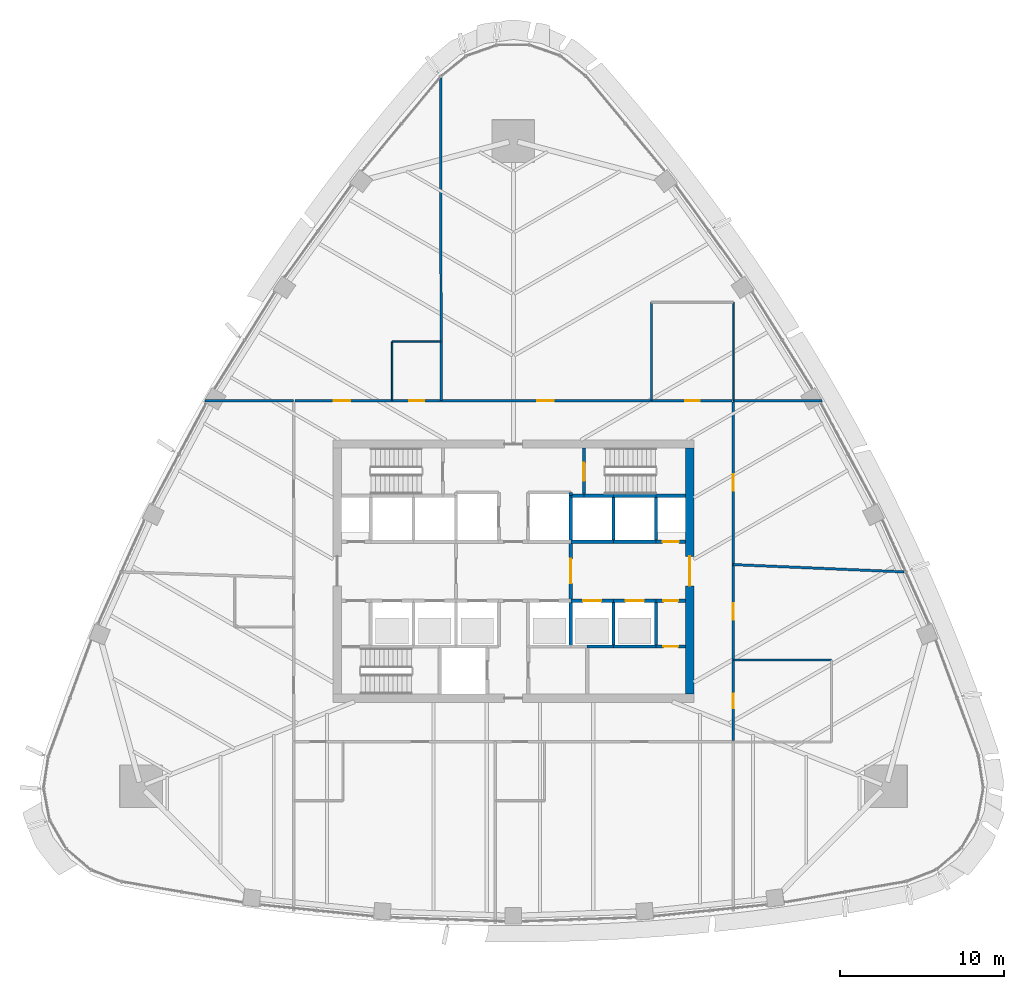
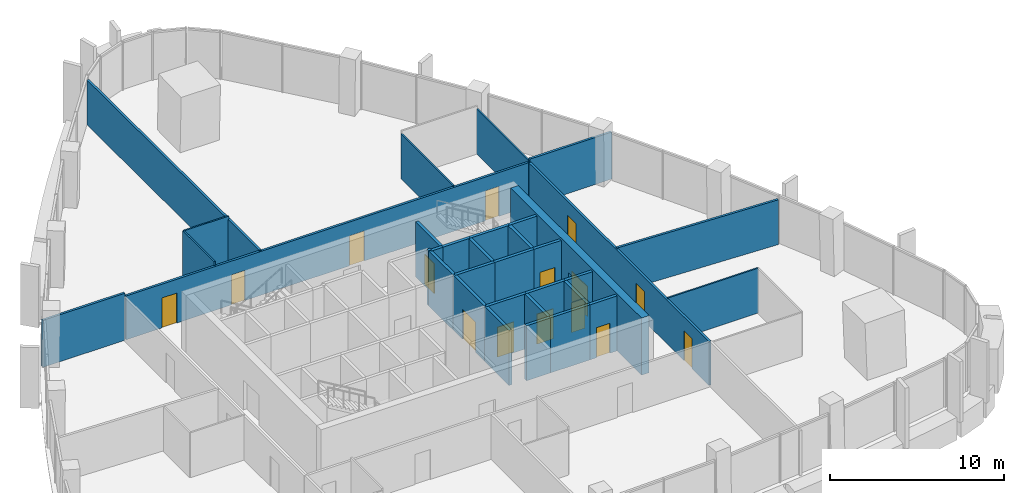
# One storey, part 11 of 19: 34 walls, 15 doors, 15 openings.
"""IFC4 building model written with IfcOpenShell, lengths in metres."""

from ifc_helpers import new_model, si_unit, direction, frame, frame_2d, origin, place, context, subcontext, project, spatial, rectangle, extrude, material, layer, layer_set, type_object, element, fill, save


model = new_model("IFC4")

# Units and contexts
model_context = context("Model", 3, precision=1e-05, world=origin(), true_north=direction((0.0, 1.0)))
body_context = subcontext(model_context, "Body", "Model", "MODEL_VIEW")
ifc_project = project(units=[si_unit("LENGTHUNIT", "METRE"), si_unit("AREAUNIT", "SQUARE_METRE"), si_unit("VOLUMEUNIT", "CUBIC_METRE"), si_unit("PLANEANGLEUNIT", "RADIAN"), si_unit("MASSUNIT", "GRAM", prefix="KILO")], contexts=[model_context])

# Site, building, storey
site_placement = place(None, origin())
site = spatial("IfcSite", under=ifc_project, at=site_placement, CompositionType="ELEMENT")
building_placement = place(site_placement, origin())
building = spatial("IfcBuilding", under=site, at=building_placement, Name="Sierra Prisma Convention Tower", CompositionType="ELEMENT")
storey_placement = place(building_placement, frame((0.0, 0.0, 209.800048828125)))
storey = spatial("IfcBuildingStorey", under=building, at=storey_placement, Name="L47", CompositionType="ELEMENT", Elevation=209.800048828125)

# Walls
ifc_material_1 = material(Name="Gypsum board partition", Category="gypsum")
ifc_layer_1 = layer(ifc_material_1, 0.10009765625)
ifc_layer_set_1 = layer_set([ifc_layer_1], Name="Bathroom partition 100")
wall_type_1 = type_object("IfcWallType", Name="Bathroom partition 100", PredefinedType="PARTITIONING", material=ifc_layer_set_1)
wall_1_placement = place(storey_placement, frame((-7.39990234375, 10.429931640625, 0.0), z_axis=(0.0, 0.0, 1.0), x_axis=(0.0, 1.0, 0.0)))
element("IfcWall", 1, at=wall_1_placement, inside=storey, type_object=wall_type_1, Name="Partition L47 bath 5", PredefinedType="PARTITIONING", context=body_context, shape_type="SweptSolid", body=[
    extrude(rectangle(XDim=3.570068359375, YDim=0.10009765625, at=frame_2d((1.78515625, 0.0))), origin(), (0.0, 0.0, 1.0), 3.349853515625),
])
wall_2_placement = place(storey_placement, frame((-7.39990234375, 14.0, 0.0), z_axis=(0.0, 0.0, 1.0), x_axis=(1.0, 0.0, 0.0)))
element("IfcWall", 2, at=wall_2_placement, inside=storey, type_object=wall_type_1, Name="Partition L47 bath 6", PredefinedType="PARTITIONING", context=body_context, shape_type="SweptSolid", body=[
    extrude(rectangle(XDim=2.969970703125, YDim=0.10009765625, at=frame_2d((1.48486328125, 0.0))), origin(), (0.0, 0.0, 1.0), 3.349853515625),
])
for number, where, z_axis, x_axis, name in (
    (3, (8.419921875, 10.429931640625, 0.0), (0.0, 0.0, 1.0), (0.0, 1.0, 0.0), "Partition L47 bath 9"),
    (4, (13.419921875, 16.39990234375, 0.0), (0.0, 0.0, 1.0), (0.0, -1.0, 0.0), "Partition L47 bath 11"),
    (5, (13.429931640625, -5.419921875, 0.0), (0.0, 0.0, 1.0), (1.0, 0.0, 0.0), "Partition L47 bath 12"),
):
    element("IfcWall", number, at=place(storey_placement, frame(where, z_axis=z_axis, x_axis=x_axis)), inside=storey, type_object=wall_type_1, Name=name, PredefinedType="PARTITIONING", context=body_context, shape_type="SweptSolid", body=[
        extrude(rectangle(XDim=5.969970703125, YDim=0.10009765625, at=frame_2d((2.98486328125, 0.0))), origin(), (0.0, 0.0, 1.0), 3.137939453125),
    ])
ifc_material_2 = material(Name="Concrete C30/37", Category="concrete")
ifc_layer_2 = layer(ifc_material_2, 0.199951171875)
ifc_layer_set_2 = layer_set([ifc_layer_2], Name="Core wall RC 200 C30/37")
wall_type_2 = type_object("IfcWallType", Name="Core wall RC 200 C30/37", PredefinedType="SOLIDWALL", material=ifc_layer_set_2)
wall_3_placement = place(storey_placement, frame((3.5, 4.60009765625, 0.0), z_axis=(0.0, 0.0, 1.0), x_axis=(0.0, 1.0, 0.0)))
element("IfcWall", 6, at=wall_3_placement, inside=storey, type_object=wall_type_2, Name="Core wall L47 40", PredefinedType="SOLIDWALL", context=body_context, shape_type="SweptSolid", body=[
    extrude(rectangle(XDim=0.199951171875, YDim=0.199951171875, at=frame_2d((0.10009765625, 0.0))), origin(), (0.0, 0.0, 1.0), 3.849853515625),
])
wall_4_placement = place(storey_placement, frame((3.5, -4.60009765625, 0.0), z_axis=(0.0, 0.0, 1.0), x_axis=(0.0, 1.0, 0.0)))
element("IfcWall", 7, at=wall_4_placement, inside=storey, type_object=wall_type_2, Name="Core wall L47 44", PredefinedType="SOLIDWALL", context=body_context, shape_type="SweptSolid", body=[
    extrude(rectangle(XDim=2.800048828125, YDim=0.199951171875, at=frame_2d((1.39990234375, 0.0))), origin(), (0.0, 0.0, 1.0), 3.849853515625),
])

# Wall, opening, door
wall_5_placement = place(storey_placement, frame((3.5, -1.800048828125, 0.0), z_axis=(0.0, 0.0, 1.0), x_axis=(1.0, 0.0, 0.0)))
wall_5 = element("IfcWall", 8, at=wall_5_placement, inside=storey, type_object=wall_type_2, Name="Core wall L47 45", PredefinedType="SOLIDWALL", context=body_context, shape_type="SweptSolid", body=[
    extrude(rectangle(XDim=2.60009765625, YDim=0.199951171875, at=frame_2d((1.300048828125, 0.0))), origin(), (0.0, 0.0, 1.0), 3.849853515625),
])
opening_1_placement = place(wall_5_placement, frame((0.75, 0.0, 0.0)))
opening_1 = element("IfcOpeningElement", 9, at=opening_1_placement, cuts=wall_5, Name="Opening L47-D005", PredefinedType="OPENING", context=body_context, shape_type="SweptSolid", body=[
    extrude(rectangle(XDim=1.10009765625, YDim=2.10009765625, at=frame_2d((0.550048828125, 1.050048828125))), frame((0.0, 0.10009765625, 0.0), z_axis=(0.0, -1.0, 0.0), x_axis=(1.0, 0.0, 0.0)), (0.0, 0.0, 1.0), 0.199951171875),
])
ifc_material_3 = material(Name="Steel fire door leaf", Category="steel")
door_type_1 = type_object("IfcDoorType", Name="Door 1100x2100 EI 90 sliding lift landing", OperationType="SLIDING_TO_LEFT", PredefinedType="DOOR", material=ifc_material_3)
door_1_placement = place(opening_1_placement, origin())
door_1 = element("IfcDoor", 10, at=door_1_placement, inside=storey, type_object=door_type_1, Name="Door L47 19", OperationType="SLIDING_TO_RIGHT", OverallHeight=2.10009765625, OverallWidth=1.10009765625, PredefinedType="DOOR", context=body_context, shape_type="SweptSolid", body=[
    extrude(rectangle(XDim=1.10009765625, YDim=2.10009765625, at=frame_2d((0.550048828125, 1.050048828125))), frame((0.0, 0.02490234375, 0.0), z_axis=(0.0, -1.0, 0.0), x_axis=(1.0, 0.0, 0.0)), (0.0, 0.0, 1.0), 0.050048828125),
])
fill(opening_1, door_1)

wall_6_placement = place(storey_placement, frame((3.5, -1.800048828125, 0.0), z_axis=(0.0, 0.0, 1.0), x_axis=(0.0, 1.0, 0.0)))
wall_6 = element("IfcWall", 11, at=wall_6_placement, inside=storey, type_object=wall_type_2, Name="Core wall L47 46", PredefinedType="SOLIDWALL", context=body_context, shape_type="SweptSolid", body=[
    extrude(rectangle(XDim=3.60009765625, YDim=0.199951171875, at=frame_2d((1.800048828125, 0.0))), origin(), (0.0, 0.0, 1.0), 3.849853515625),
])
opening_2_placement = place(wall_6_placement, frame((1.050048828125, 0.0, 0.0)))
opening_2 = element("IfcOpeningElement", 12, at=opening_2_placement, cuts=wall_6, Name="Opening L47-D011", PredefinedType="OPENING", context=body_context, shape_type="SweptSolid", body=[
    extrude(rectangle(XDim=1.5, YDim=2.10009765625, at=frame_2d((0.75, 1.050048828125))), frame((0.0, 0.10009765625, 0.0), z_axis=(0.0, -1.0, 0.0), x_axis=(1.0, 0.0, 0.0)), (0.0, 0.0, 1.0), 0.199951171875),
])
ifc_material_4 = material(Name="Steel fire door leaf", Category="steel")
door_type_2 = type_object("IfcDoorType", Name="Door 1500x2100 FD30S", OperationType="DOUBLE_DOOR_SINGLE_SWING", PredefinedType="DOOR", material=ifc_material_4)
door_2_placement = place(opening_2_placement, origin())
door_2 = element("IfcDoor", 13, at=door_2_placement, inside=storey, type_object=door_type_2, Name="Door L47 25", OperationType="DOUBLE_DOOR_SINGLE_SWING", OverallHeight=2.10009765625, OverallWidth=1.5, PredefinedType="DOOR", context=body_context, shape_type="SweptSolid", body=[
    extrude(rectangle(XDim=1.5, YDim=2.10009765625, at=frame_2d((0.75, 1.050048828125))), frame((0.0, 0.02490234375, 0.0), z_axis=(0.0, -1.0, 0.0), x_axis=(1.0, 0.0, 0.0)), (0.0, 0.0, 1.0), 0.050048828125),
])
fill(opening_2, door_2)

# Walls
wall_7_placement = place(storey_placement, frame((6.10009765625, 1.800048828125, 0.0), z_axis=(0.0, 0.0, 1.0), x_axis=(-1.0, 0.0, 0.0)))
element("IfcWall", 14, at=wall_7_placement, inside=storey, type_object=wall_type_2, Name="Core wall L47 47", PredefinedType="SOLIDWALL", context=body_context, shape_type="SweptSolid", body=[
    extrude(rectangle(XDim=2.60009765625, YDim=0.199951171875, at=frame_2d((1.300048828125, 0.0))), origin(), (0.0, 0.0, 1.0), 3.849853515625),
])
wall_8_placement = place(storey_placement, frame((3.5, 1.800048828125, 0.0), z_axis=(0.0, 0.0, 1.0), x_axis=(0.0, 1.0, 0.0)))
element("IfcWall", 15, at=wall_8_placement, inside=storey, type_object=wall_type_2, Name="Core wall L47 48", PredefinedType="SOLIDWALL", context=body_context, shape_type="SweptSolid", body=[
    extrude(rectangle(XDim=2.800048828125, YDim=0.199951171875, at=frame_2d((1.39990234375, 0.0))), origin(), (0.0, 0.0, 1.0), 3.849853515625),
])
wall_9_placement = place(storey_placement, frame((4.300048828125, 4.60009765625, 0.0), z_axis=(0.0, 0.0, 1.0), x_axis=(-1.0, 0.0, 0.0)))
element("IfcWall", 16, at=wall_9_placement, inside=storey, type_object=wall_type_2, Name="Core wall L47 49", PredefinedType="SOLIDWALL", context=body_context, shape_type="SweptSolid", body=[
    extrude(rectangle(XDim=0.800048828125, YDim=0.199951171875, at=frame_2d((0.39990234375, 0.0))), origin(), (0.0, 0.0, 1.0), 3.849853515625),
])
wall_10_placement = place(storey_placement, frame((6.10009765625, 4.60009765625, 0.0), z_axis=(0.0, 0.0, 1.0), x_axis=(-1.0, 0.0, 0.0)))
element("IfcWall", 17, at=wall_10_placement, inside=storey, type_object=wall_type_2, Name="Core wall L47 50", PredefinedType="SOLIDWALL", context=body_context, shape_type="SweptSolid", body=[
    extrude(rectangle(XDim=1.800048828125, YDim=0.199951171875, at=frame_2d((0.89990234375, 0.0))), origin(), (0.0, 0.0, 1.0), 3.849853515625),
])

# Wall, opening, door
wall_11_placement = place(storey_placement, frame((4.300048828125, 7.5, 0.0), z_axis=(0.0, 0.0, 1.0), x_axis=(0.0, -1.0, 0.0)))
wall_11 = element("IfcWall", 18, at=wall_11_placement, inside=storey, type_object=wall_type_2, Name="Core wall L47 51", PredefinedType="SOLIDWALL", context=body_context, shape_type="SweptSolid", body=[
    extrude(rectangle(XDim=2.89990234375, YDim=0.199951171875, at=frame_2d((1.449951171875, 0.0))), origin(), (0.0, 0.0, 1.0), 3.849853515625),
])
opening_3_placement = place(wall_11_placement, frame((0.89990234375, 0.0, 0.0)))
opening_3 = element("IfcOpeningElement", 19, at=opening_3_placement, cuts=wall_11, Name="Opening L47-D019", PredefinedType="OPENING", context=body_context, shape_type="SweptSolid", body=[
    extrude(rectangle(XDim=1.10009765625, YDim=2.10009765625, at=frame_2d((0.550048828125, 1.050048828125))), frame((0.0, 0.10009765625, 0.0), z_axis=(0.0, -1.0, 0.0), x_axis=(1.0, 0.0, 0.0)), (0.0, 0.0, 1.0), 0.199951171875),
])
ifc_material_5 = material(Name="Steel fire door leaf", Category="steel")
door_type_3 = type_object("IfcDoorType", Name="Door 1100x2100 FD90S", OperationType="SINGLE_SWING_LEFT", PredefinedType="DOOR", material=ifc_material_5)
door_3_placement = place(opening_3_placement, origin())
door_3 = element("IfcDoor", 20, at=door_3_placement, inside=storey, type_object=door_type_3, Name="Door L47 33", OperationType="SINGLE_SWING_LEFT", OverallHeight=2.10009765625, OverallWidth=1.10009765625, PredefinedType="DOOR", context=body_context, shape_type="SweptSolid", body=[
    extrude(rectangle(XDim=1.10009765625, YDim=2.10009765625, at=frame_2d((0.550048828125, 1.050048828125))), frame((0.0, 0.02490234375, 0.0), z_axis=(0.0, -1.0, 0.0), x_axis=(1.0, 0.0, 0.0)), (0.0, 0.0, 1.0), 0.050048828125),
])
fill(opening_3, door_3)

# Walls
wall_12_placement = place(storey_placement, frame((6.10009765625, -4.60009765625, 0.0), z_axis=(0.0, 0.0, 1.0), x_axis=(-1.0, 0.0, 0.0)))
element("IfcWall", 21, at=wall_12_placement, inside=storey, type_object=wall_type_2, Name="Core wall L47 53", PredefinedType="SOLIDWALL", context=body_context, shape_type="SweptSolid", body=[
    extrude(rectangle(XDim=1.60009765625, YDim=0.199951171875, at=frame_2d((0.800048828125, 0.0))), origin(), (0.0, 0.0, 1.0), 3.849853515625),
])
wall_13_placement = place(storey_placement, frame((8.699951171875, -4.60009765625, 0.0), z_axis=(0.0, 0.0, 1.0), x_axis=(-1.0, 0.0, 0.0)))
element("IfcWall", 22, at=wall_13_placement, inside=storey, type_object=wall_type_2, Name="Core wall L47 54", PredefinedType="SOLIDWALL", context=body_context, shape_type="SweptSolid", body=[
    extrude(rectangle(XDim=2.599853515625, YDim=0.199951171875, at=frame_2d((1.2998046875, 0.0))), origin(), (0.0, 0.0, 1.0), 3.849853515625),
])
wall_14_placement = place(storey_placement, frame((6.10009765625, -4.60009765625, 0.0), z_axis=(0.0, 0.0, 1.0), x_axis=(0.0, 1.0, 0.0)))
element("IfcWall", 23, at=wall_14_placement, inside=storey, type_object=wall_type_2, Name="Core wall L47 55", PredefinedType="SOLIDWALL", context=body_context, shape_type="SweptSolid", body=[
    extrude(rectangle(XDim=2.800048828125, YDim=0.199951171875, at=frame_2d((1.39990234375, 0.0))), origin(), (0.0, 0.0, 1.0), 3.849853515625),
])

# Wall, opening, door
wall_15_placement = place(storey_placement, frame((6.10009765625, -1.800048828125, 0.0), z_axis=(0.0, 0.0, 1.0), x_axis=(1.0, 0.0, 0.0)))
wall_15 = element("IfcWall", 24, at=wall_15_placement, inside=storey, type_object=wall_type_2, Name="Core wall L47 56", PredefinedType="SOLIDWALL", context=body_context, shape_type="SweptSolid", body=[
    extrude(rectangle(XDim=2.599853515625, YDim=0.199951171875, at=frame_2d((1.2998046875, 0.0))), origin(), (0.0, 0.0, 1.0), 3.849853515625),
])
opening_4_placement = place(wall_15_placement, frame((0.75, 0.0, 0.0)))
opening_4 = element("IfcOpeningElement", 25, at=opening_4_placement, cuts=wall_15, Name="Opening L47-D006", PredefinedType="OPENING", context=body_context, shape_type="SweptSolid", body=[
    extrude(rectangle(XDim=1.10009765625, YDim=2.10009765625, at=frame_2d((0.550048828125, 1.050048828125))), frame((0.0, 0.10009765625, 0.0), z_axis=(0.0, -1.0, 0.0), x_axis=(1.0, 0.0, 0.0)), (0.0, 0.0, 1.0), 0.199951171875),
])
door_4_placement = place(opening_4_placement, origin())
door_4 = element("IfcDoor", 26, at=door_4_placement, inside=storey, type_object=door_type_1, Name="Door L47 20", OperationType="SLIDING_TO_LEFT", OverallHeight=2.10009765625, OverallWidth=1.10009765625, PredefinedType="DOOR", context=body_context, shape_type="SweptSolid", body=[
    extrude(rectangle(XDim=1.10009765625, YDim=2.10009765625, at=frame_2d((0.550048828125, 1.050048828125))), frame((0.0, 0.02490234375, 0.0), z_axis=(0.0, -1.0, 0.0), x_axis=(1.0, 0.0, 0.0)), (0.0, 0.0, 1.0), 0.050048828125),
])
fill(opening_4, door_4)

# Walls
wall_16_placement = place(storey_placement, frame((8.699951171875, 1.800048828125, 0.0), z_axis=(0.0, 0.0, 1.0), x_axis=(-1.0, 0.0, 0.0)))
element("IfcWall", 27, at=wall_16_placement, inside=storey, type_object=wall_type_2, Name="Core wall L47 57", PredefinedType="SOLIDWALL", context=body_context, shape_type="SweptSolid", body=[
    extrude(rectangle(XDim=2.599853515625, YDim=0.199951171875, at=frame_2d((1.2998046875, 0.0))), origin(), (0.0, 0.0, 1.0), 3.849853515625),
])
wall_17_placement = place(storey_placement, frame((6.10009765625, 1.800048828125, 0.0), z_axis=(0.0, 0.0, 1.0), x_axis=(0.0, 1.0, 0.0)))
element("IfcWall", 28, at=wall_17_placement, inside=storey, type_object=wall_type_2, Name="Core wall L47 58", PredefinedType="SOLIDWALL", context=body_context, shape_type="SweptSolid", body=[
    extrude(rectangle(XDim=2.800048828125, YDim=0.199951171875, at=frame_2d((1.39990234375, 0.0))), origin(), (0.0, 0.0, 1.0), 3.849853515625),
])
wall_18_placement = place(storey_placement, frame((8.699951171875, 4.60009765625, 0.0), z_axis=(0.0, 0.0, 1.0), x_axis=(-1.0, 0.0, 0.0)))
element("IfcWall", 29, at=wall_18_placement, inside=storey, type_object=wall_type_2, Name="Core wall L47 59", PredefinedType="SOLIDWALL", context=body_context, shape_type="SweptSolid", body=[
    extrude(rectangle(XDim=2.599853515625, YDim=0.199951171875, at=frame_2d((1.2998046875, 0.0))), origin(), (0.0, 0.0, 1.0), 3.849853515625),
])

# Wall, opening, door
wall_19_placement = place(storey_placement, frame((10.5, -4.60009765625, 0.0), z_axis=(0.0, 0.0, 1.0), x_axis=(-1.0, 0.0, 0.0)))
wall_19 = element("IfcWall", 30, at=wall_19_placement, inside=storey, type_object=wall_type_2, Name="Core wall L47 60", PredefinedType="SOLIDWALL", context=body_context, shape_type="SweptSolid", body=[
    extrude(rectangle(XDim=1.800048828125, YDim=0.199951171875, at=frame_2d((0.89990234375, 0.0))), origin(), (0.0, 0.0, 1.0), 3.849853515625),
])
opening_5_placement = place(wall_19_placement, frame((0.4599609375, 0.0, 0.0)))
opening_5 = element("IfcOpeningElement", 31, at=opening_5_placement, cuts=wall_19, Name="Opening L47-D020", PredefinedType="OPENING", context=body_context, shape_type="SweptSolid", body=[
    extrude(rectangle(XDim=0.89990234375, YDim=2.10009765625, at=frame_2d((0.449951171875, 1.050048828125))), frame((0.0, 0.10009765625, 0.0), z_axis=(0.0, -1.0, 0.0), x_axis=(1.0, 0.0, 0.0)), (0.0, 0.0, 1.0), 0.199951171875),
])
ifc_material_6 = material(Name="Steel fire door leaf", Category="steel")
door_type_4 = type_object("IfcDoorType", Name="Door 900x2100 FD30S", OperationType="SINGLE_SWING_LEFT", PredefinedType="DOOR", material=ifc_material_6)
door_5_placement = place(opening_5_placement, origin())
door_5 = element("IfcDoor", 32, at=door_5_placement, inside=storey, type_object=door_type_4, Name="Door L47 34", OperationType="SINGLE_SWING_LEFT", OverallHeight=2.10009765625, OverallWidth=0.89990234375, PredefinedType="DOOR", context=body_context, shape_type="SweptSolid", body=[
    extrude(rectangle(XDim=0.89990234375, YDim=2.10009765625, at=frame_2d((0.449951171875, 1.050048828125))), frame((0.0, 0.02490234375, 0.0), z_axis=(0.0, -1.0, 0.0), x_axis=(1.0, 0.0, 0.0)), (0.0, 0.0, 1.0), 0.050048828125),
])
fill(opening_5, door_5)

# Wall
wall_20_placement = place(storey_placement, frame((8.699951171875, -1.800048828125, 0.0), z_axis=(0.0, 0.0, 1.0), x_axis=(0.0, -1.0, 0.0)))
element("IfcWall", 33, at=wall_20_placement, inside=storey, type_object=wall_type_2, Name="Core wall L47 61", PredefinedType="SOLIDWALL", context=body_context, shape_type="SweptSolid", body=[
    extrude(rectangle(XDim=2.800048828125, YDim=0.199951171875, at=frame_2d((1.39990234375, 0.0))), origin(), (0.0, 0.0, 1.0), 3.849853515625),
])

# Wall, opening, door
wall_21_placement = place(storey_placement, frame((8.699951171875, -1.800048828125, 0.0), z_axis=(0.0, 0.0, 1.0), x_axis=(1.0, 0.0, 0.0)))
wall_21 = element("IfcWall", 34, at=wall_21_placement, inside=storey, type_object=wall_type_2, Name="Core wall L47 62", PredefinedType="SOLIDWALL", context=body_context, shape_type="SweptSolid", body=[
    extrude(rectangle(XDim=1.800048828125, YDim=0.199951171875, at=frame_2d((0.89990234375, 0.0))), origin(), (0.0, 0.0, 1.0), 3.849853515625),
])
opening_6_placement = place(wall_21_placement, frame((0.449951171875, 0.0, 0.0)))
opening_6 = element("IfcOpeningElement", 35, at=opening_6_placement, cuts=wall_21, Name="Opening L47-D021", PredefinedType="OPENING", context=body_context, shape_type="SweptSolid", body=[
    extrude(rectangle(XDim=0.89990234375, YDim=2.10009765625, at=frame_2d((0.449951171875, 1.050048828125))), frame((0.0, 0.10009765625, 0.0), z_axis=(0.0, -1.0, 0.0), x_axis=(1.0, 0.0, 0.0)), (0.0, 0.0, 1.0), 0.199951171875),
])
door_6_placement = place(opening_6_placement, origin())
door_6 = element("IfcDoor", 36, at=door_6_placement, inside=storey, type_object=door_type_4, Name="Door L47 35", OperationType="SINGLE_SWING_RIGHT", OverallHeight=2.10009765625, OverallWidth=0.89990234375, PredefinedType="DOOR", context=body_context, shape_type="SweptSolid", body=[
    extrude(rectangle(XDim=0.89990234375, YDim=2.10009765625, at=frame_2d((0.449951171875, 1.050048828125))), frame((0.0, 0.02490234375, 0.0), z_axis=(0.0, -1.0, 0.0), x_axis=(1.0, 0.0, 0.0)), (0.0, 0.0, 1.0), 0.050048828125),
])
fill(opening_6, door_6)

wall_22_placement = place(storey_placement, frame((10.5, 1.800048828125, 0.0), z_axis=(0.0, 0.0, 1.0), x_axis=(-1.0, 0.0, 0.0)))
wall_22 = element("IfcWall", 37, at=wall_22_placement, inside=storey, type_object=wall_type_2, Name="Core wall L47 63", PredefinedType="SOLIDWALL", context=body_context, shape_type="SweptSolid", body=[
    extrude(rectangle(XDim=1.800048828125, YDim=0.199951171875, at=frame_2d((0.89990234375, 0.0))), origin(), (0.0, 0.0, 1.0), 3.849853515625),
])
opening_7_placement = place(wall_22_placement, frame((0.39990234375, 0.0, 0.0)))
opening_7 = element("IfcOpeningElement", 38, at=opening_7_placement, cuts=wall_22, Name="Opening L47-D016", PredefinedType="OPENING", context=body_context, shape_type="SweptSolid", body=[
    extrude(rectangle(XDim=1.0, YDim=2.10009765625, at=frame_2d((0.5, 1.050048828125))), frame((0.0, 0.10009765625, 0.0), z_axis=(0.0, -1.0, 0.0), x_axis=(1.0, 0.0, 0.0)), (0.0, 0.0, 1.0), 0.199951171875),
])
ifc_material_7 = material(Name="Steel fire door leaf", Category="steel")
door_type_5 = type_object("IfcDoorType", Name="Door 1000x2100 FD60S", OperationType="SINGLE_SWING_LEFT", PredefinedType="DOOR", material=ifc_material_7)
door_7_placement = place(opening_7_placement, origin())
door_7 = element("IfcDoor", 39, at=door_7_placement, inside=storey, type_object=door_type_5, Name="Door L47 30", OperationType="SINGLE_SWING_LEFT", OverallHeight=2.10009765625, OverallWidth=1.0, PredefinedType="DOOR", context=body_context, shape_type="SweptSolid", body=[
    extrude(rectangle(XDim=1.0, YDim=2.10009765625, at=frame_2d((0.5, 1.050048828125))), frame((0.0, 0.02490234375, 0.0), z_axis=(0.0, -1.0, 0.0), x_axis=(1.0, 0.0, 0.0)), (0.0, 0.0, 1.0), 0.050048828125),
])
fill(opening_7, door_7)

# Walls
wall_23_placement = place(storey_placement, frame((8.699951171875, 4.60009765625, 0.0), z_axis=(0.0, 0.0, 1.0), x_axis=(0.0, -1.0, 0.0)))
element("IfcWall", 40, at=wall_23_placement, inside=storey, type_object=wall_type_2, Name="Core wall L47 64", PredefinedType="SOLIDWALL", context=body_context, shape_type="SweptSolid", body=[
    extrude(rectangle(XDim=2.800048828125, YDim=0.199951171875, at=frame_2d((1.39990234375, 0.0))), origin(), (0.0, 0.0, 1.0), 3.849853515625),
])
wall_24_placement = place(storey_placement, frame((10.5, 4.60009765625, 0.0), z_axis=(0.0, 0.0, 1.0), x_axis=(-1.0, 0.0, 0.0)))
element("IfcWall", 41, at=wall_24_placement, inside=storey, type_object=wall_type_2, Name="Core wall L47 65", PredefinedType="SOLIDWALL", context=body_context, shape_type="SweptSolid", body=[
    extrude(rectangle(XDim=1.800048828125, YDim=0.199951171875, at=frame_2d((0.89990234375, 0.0))), origin(), (0.0, 0.0, 1.0), 3.849853515625),
])

# Wall, opening, door
ifc_material_8 = material(Name="Concrete C60/75", Category="concrete")
ifc_layer_3 = layer(ifc_material_8, 0.5)
ifc_layer_set_3 = layer_set([ifc_layer_3], Name="Core wall RC 500 C60/75")
wall_type_3 = type_object("IfcWallType", Name="Core wall RC 500 C60/75", PredefinedType="SHEAR", material=ifc_layer_set_3)
wall_25_placement = place(storey_placement, frame((10.75, -7.5, 0.0), z_axis=(0.0, 0.0, 1.0), x_axis=(0.0, 1.0, 0.0)))
wall_25 = element("IfcWall", 42, at=wall_25_placement, inside=storey, type_object=wall_type_3, Name="Core wall E L47", PredefinedType="SHEAR", context=body_context, shape_type="SweptSolid", body=[
    extrude(rectangle(XDim=15.0, YDim=0.5, at=frame_2d((7.5, 0.0))), origin(), (0.0, 0.0, 1.0), 4.0),
])
opening_8_placement = place(wall_25_placement, frame((6.60009765625, 0.0, 0.0)))
opening_8 = element("IfcOpeningElement", 43, at=opening_8_placement, cuts=wall_25, Name="Opening L47-D037", PredefinedType="OPENING", context=body_context, shape_type="SweptSolid", body=[
    extrude(rectangle(XDim=1.800048828125, YDim=2.10009765625, at=frame_2d((0.89990234375, 1.050048828125))), frame((0.0, 0.25, 0.0), z_axis=(0.0, -1.0, 0.0), x_axis=(1.0, 0.0, 0.0)), (0.0, 0.0, 1.0), 0.5),
])
ifc_material_9 = material(Name="Steel fire door leaf", Category="steel")
door_type_6 = type_object("IfcDoorType", Name="Door 1800x2100 FD60S", OperationType="DOUBLE_DOOR_SINGLE_SWING", PredefinedType="DOOR", material=ifc_material_9)
door_8_placement = place(opening_8_placement, origin())
door_8 = element("IfcDoor", 44, at=door_8_placement, inside=storey, type_object=door_type_6, Name="Door L47 38", OperationType="DOUBLE_DOOR_SINGLE_SWING", OverallHeight=2.10009765625, OverallWidth=1.800048828125, PredefinedType="DOOR", context=body_context, shape_type="SweptSolid", body=[
    extrude(rectangle(XDim=1.800048828125, YDim=2.10009765625, at=frame_2d((0.89990234375, 1.050048828125))), frame((0.0, 0.02490234375, 0.0), z_axis=(0.0, -1.0, 0.0), x_axis=(1.0, 0.0, 0.0)), (0.0, 0.0, 1.0), 0.050048828125),
])
fill(opening_8, door_8)

# Wall, openings, doors
ifc_material_10 = material(Name="Gypsum board partition", Category="gypsum")
ifc_layer_4 = layer(ifc_material_10, 0.14990234375)
ifc_layer_set_4 = layer_set([ifc_layer_4], Name="Corridor wall 150 gypsum EI 60")
wall_type_4 = type_object("IfcWallType", Name="Corridor wall 150 gypsum EI 60", PredefinedType="PARTITIONING", material=ifc_layer_set_4)
wall_26_placement = place(storey_placement, frame((13.320068359375, 10.39990234375, 0.0), z_axis=(0.0, 0.0, 1.0), x_axis=(-1.0, 0.0, 0.0)))
wall_26 = element("IfcWall", 45, at=wall_26_placement, inside=storey, type_object=wall_type_4, Name="Partition L47 corr 3", PredefinedType="PARTITIONING", context=body_context, shape_type="SweptSolid", body=[
    extrude(rectangle(XDim=26.64013671875, YDim=0.14990234375, at=frame_2d((13.320068359375, 0.0))), origin(), (0.0, 0.0, 1.0), 3.06591796875),
])
opening_9_placement = place(wall_26_placement, frame((1.949951171875, 0.0, 0.0)))
opening_9 = element("IfcOpeningElement", 46, at=opening_9_placement, cuts=wall_26, Name="Opening L47-D024", PredefinedType="OPENING", context=body_context, shape_type="SweptSolid", body=[
    extrude(rectangle(XDim=0.89990234375, YDim=2.10009765625, at=frame_2d((0.449951171875, 1.050048828125))), frame((0.0, 0.074951171875, 0.0), z_axis=(0.0, -1.0, 0.0), x_axis=(1.0, 0.0, 0.0)), (0.0, 0.0, 1.0), 0.14990234375),
])
opening_10_placement = place(wall_26_placement, frame((10.860107421875, 0.0, 0.0)))
opening_10 = element("IfcOpeningElement", 47, at=opening_10_placement, cuts=wall_26, Name="Opening L47-D025", PredefinedType="OPENING", context=body_context, shape_type="SweptSolid", body=[
    extrude(rectangle(XDim=1.0, YDim=2.10009765625, at=frame_2d((0.5, 1.050048828125))), frame((0.0, 0.074951171875, 0.0), z_axis=(0.0, -1.0, 0.0), x_axis=(1.0, 0.0, 0.0)), (0.0, 0.0, 1.0), 0.14990234375),
])
opening_11_placement = place(wall_26_placement, frame((18.77001953125, 0.0, 0.0)))
opening_11 = element("IfcOpeningElement", 48, at=opening_11_placement, cuts=wall_26, Name="Opening L47-D026", PredefinedType="OPENING", context=body_context, shape_type="SweptSolid", body=[
    extrude(rectangle(XDim=0.89990234375, YDim=2.10009765625, at=frame_2d((0.449951171875, 1.050048828125))), frame((0.0, 0.074951171875, 0.0), z_axis=(0.0, -1.0, 0.0), x_axis=(1.0, 0.0, 0.0)), (0.0, 0.0, 1.0), 0.14990234375),
])
opening_12_placement = place(wall_26_placement, frame((23.280029296875, 0.0, 0.0)))
opening_12 = element("IfcOpeningElement", 49, at=opening_12_placement, cuts=wall_26, Name="Opening L47-D027", PredefinedType="OPENING", context=body_context, shape_type="SweptSolid", body=[
    extrude(rectangle(XDim=1.0, YDim=2.10009765625, at=frame_2d((0.5, 1.050048828125))), frame((0.0, 0.074951171875, 0.0), z_axis=(0.0, -1.0, 0.0), x_axis=(1.0, 0.0, 0.0)), (0.0, 0.0, 1.0), 0.14990234375),
])
ifc_material_11 = material(Name="Steel fire door leaf", Category="steel")
door_type_7 = type_object("IfcDoorType", Name="Door 1000x2100 FD30S", OperationType="SINGLE_SWING_LEFT", PredefinedType="DOOR", material=ifc_material_11)
door_9_placement = place(opening_10_placement, origin())
door_9 = element("IfcDoor", 50, at=door_9_placement, inside=storey, type_object=door_type_7, Name="Door L47 3", OperationType="SINGLE_SWING_RIGHT", OverallHeight=2.10009765625, OverallWidth=1.0, PredefinedType="DOOR", context=body_context, shape_type="SweptSolid", body=[
    extrude(rectangle(XDim=1.0, YDim=2.10009765625, at=frame_2d((0.5, 1.050048828125))), frame((0.0, 0.02490234375, 0.0), z_axis=(0.0, -1.0, 0.0), x_axis=(1.0, 0.0, 0.0)), (0.0, 0.0, 1.0), 0.050048828125),
])
fill(opening_10, door_9)
door_10_placement = place(opening_12_placement, origin())
door_10 = element("IfcDoor", 51, at=door_10_placement, inside=storey, type_object=door_type_7, Name="Door L47 5", OperationType="SINGLE_SWING_RIGHT", OverallHeight=2.10009765625, OverallWidth=1.0, PredefinedType="DOOR", context=body_context, shape_type="SweptSolid", body=[
    extrude(rectangle(XDim=1.0, YDim=2.10009765625, at=frame_2d((0.5, 1.050048828125))), frame((0.0, 0.02490234375, 0.0), z_axis=(0.0, -1.0, 0.0), x_axis=(1.0, 0.0, 0.0)), (0.0, 0.0, 1.0), 0.050048828125),
])
fill(opening_12, door_10)
door_11_placement = place(opening_9_placement, origin())
door_11 = element("IfcDoor", 52, at=door_11_placement, inside=storey, type_object=door_type_4, Name="Door L47 2", OperationType="SINGLE_SWING_RIGHT", OverallHeight=2.10009765625, OverallWidth=0.89990234375, PredefinedType="DOOR", context=body_context, shape_type="SweptSolid", body=[
    extrude(rectangle(XDim=0.89990234375, YDim=2.10009765625, at=frame_2d((0.449951171875, 1.050048828125))), frame((0.0, 0.02490234375, 0.0), z_axis=(0.0, -1.0, 0.0), x_axis=(1.0, 0.0, 0.0)), (0.0, 0.0, 1.0), 0.050048828125),
])
fill(opening_9, door_11)
door_12_placement = place(opening_11_placement, origin())
door_12 = element("IfcDoor", 53, at=door_12_placement, inside=storey, type_object=door_type_4, Name="Door L47 4", OperationType="SINGLE_SWING_LEFT", OverallHeight=2.10009765625, OverallWidth=0.89990234375, PredefinedType="DOOR", context=body_context, shape_type="SweptSolid", body=[
    extrude(rectangle(XDim=0.89990234375, YDim=2.10009765625, at=frame_2d((0.449951171875, 1.050048828125))), frame((0.0, 0.02490234375, 0.0), z_axis=(0.0, -1.0, 0.0), x_axis=(1.0, 0.0, 0.0)), (0.0, 0.0, 1.0), 0.050048828125),
])
fill(opening_11, door_12)

wall_27_placement = place(storey_placement, frame((13.39990234375, -10.320068359375, 0.0), z_axis=(0.0, 0.0, 1.0), x_axis=(0.0, 1.0, 0.0)))
wall_27 = element("IfcWall", 54, at=wall_27_placement, inside=storey, type_object=wall_type_4, Name="Partition L47 corr 4", PredefinedType="PARTITIONING", context=body_context, shape_type="SweptSolid", body=[
    extrude(rectangle(XDim=20.64013671875, YDim=0.14990234375, at=frame_2d((10.320068359375, 0.0))), origin(), (0.0, 0.0, 1.0), 3.06591796875),
])
opening_13_placement = place(wall_27_placement, frame((15.219970703125, 0.0, 0.0)))
opening_13 = element("IfcOpeningElement", 55, at=opening_13_placement, cuts=wall_27, Name="Opening L47-D023", PredefinedType="OPENING", context=body_context, shape_type="SweptSolid", body=[
    extrude(rectangle(XDim=1.0, YDim=2.10009765625, at=frame_2d((0.5, 1.050048828125))), frame((0.0, 0.074951171875, 0.0), z_axis=(0.0, -1.0, 0.0), x_axis=(1.0, 0.0, 0.0)), (0.0, 0.0, 1.0), 0.14990234375),
])
opening_14_placement = place(wall_27_placement, frame((1.949951171875, 0.0, 0.0)))
opening_14 = element("IfcOpeningElement", 56, at=opening_14_placement, cuts=wall_27, Name="Opening L47-D035", PredefinedType="OPENING", context=body_context, shape_type="SweptSolid", body=[
    extrude(rectangle(XDim=0.89990234375, YDim=2.10009765625, at=frame_2d((0.449951171875, 1.050048828125))), frame((0.0, 0.074951171875, 0.0), z_axis=(0.0, -1.0, 0.0), x_axis=(1.0, 0.0, 0.0)), (0.0, 0.0, 1.0), 0.14990234375),
])
opening_15_placement = place(wall_27_placement, frame((7.360107421875, 0.0, 0.0)))
opening_15 = element("IfcOpeningElement", 57, at=opening_15_placement, cuts=wall_27, Name="Opening L47-D036", PredefinedType="OPENING", context=body_context, shape_type="SweptSolid", body=[
    extrude(rectangle(XDim=1.0, YDim=2.10009765625, at=frame_2d((0.5, 1.050048828125))), frame((0.0, 0.074951171875, 0.0), z_axis=(0.0, -1.0, 0.0), x_axis=(1.0, 0.0, 0.0)), (0.0, 0.0, 1.0), 0.14990234375),
])
door_13_placement = place(opening_13_placement, origin())
door_13 = element("IfcDoor", 58, at=door_13_placement, inside=storey, type_object=door_type_7, Name="Door L47 1", OperationType="SINGLE_SWING_LEFT", OverallHeight=2.10009765625, OverallWidth=1.0, PredefinedType="DOOR", context=body_context, shape_type="SweptSolid", body=[
    extrude(rectangle(XDim=1.0, YDim=2.10009765625, at=frame_2d((0.5, 1.050048828125))), frame((0.0, 0.02490234375, 0.0), z_axis=(0.0, -1.0, 0.0), x_axis=(1.0, 0.0, 0.0)), (0.0, 0.0, 1.0), 0.050048828125),
])
fill(opening_13, door_13)
door_14_placement = place(opening_15_placement, origin())
door_14 = element("IfcDoor", 59, at=door_14_placement, inside=storey, type_object=door_type_7, Name="Door L47 14", OperationType="SINGLE_SWING_LEFT", OverallHeight=2.10009765625, OverallWidth=1.0, PredefinedType="DOOR", context=body_context, shape_type="SweptSolid", body=[
    extrude(rectangle(XDim=1.0, YDim=2.10009765625, at=frame_2d((0.5, 1.050048828125))), frame((0.0, 0.02490234375, 0.0), z_axis=(0.0, -1.0, 0.0), x_axis=(1.0, 0.0, 0.0)), (0.0, 0.0, 1.0), 0.050048828125),
])
fill(opening_15, door_14)
door_15_placement = place(opening_14_placement, origin())
door_15 = element("IfcDoor", 60, at=door_15_placement, inside=storey, type_object=door_type_4, Name="Door L47 13", OperationType="SINGLE_SWING_RIGHT", OverallHeight=2.10009765625, OverallWidth=0.89990234375, PredefinedType="DOOR", context=body_context, shape_type="SweptSolid", body=[
    extrude(rectangle(XDim=0.89990234375, YDim=2.10009765625, at=frame_2d((0.449951171875, 1.050048828125))), frame((0.0, 0.02490234375, 0.0), z_axis=(0.0, -1.0, 0.0), x_axis=(1.0, 0.0, 0.0)), (0.0, 0.0, 1.0), 0.050048828125),
])
fill(opening_14, door_15)

# Walls
ifc_material_12 = material(Name="Gypsum board partition", Category="gypsum")
ifc_layer_5 = layer(ifc_material_12, 0.14990234375)
ifc_layer_set_5 = layer_set([ifc_layer_5], Name="Party wall 150 gypsum")
wall_type_5 = type_object("IfcWallType", Name="Party wall 150 gypsum", PredefinedType="PARTITIONING", material=ifc_layer_set_5)
wall_28_placement = place(storey_placement, frame((-13.39990234375, 10.39990234375, 0.0), z_axis=(0.0, 0.0, 1.0), x_axis=(-1.0, 0.0, 0.0)))
element("IfcWall", 61, at=wall_28_placement, inside=storey, type_object=wall_type_5, Name="Partition L47 party 2", PredefinedType="PARTITIONING", context=body_context, shape_type="SweptSolid", body=[
    extrude(rectangle(XDim=5.423828125, YDim=0.14990234375, at=frame_2d((2.7119140625, 0.0))), origin(), (0.0, 0.0, 1.0), 3.286865234375),
])
wall_29_placement = place(storey_placement, frame((-4.39990234375, 10.39990234375, 0.0), z_axis=(0.0, 0.0, 1.0), x_axis=(-0.002284005959, 0.999997391655, 0.0)))
element("IfcWall", 62, at=wall_29_placement, inside=storey, type_object=wall_type_5, Name="Partition L47 party 4", PredefinedType="PARTITIONING", context=body_context, shape_type="SweptSolid", body=[
    extrude(rectangle(XDim=19.66796875, YDim=0.14990234375, at=frame_2d((9.833984375, 0.0))), origin(), (0.0, 0.0, 1.0), 3.134033203125),
])
wall_30_placement = place(storey_placement, frame((23.824951171875, -0.04638671875, 0.0), z_axis=(0.0, 0.0, 1.0), x_axis=(-0.999084939374, 0.042770128783, 0.0)))
element("IfcWall", 63, at=wall_30_placement, inside=storey, type_object=wall_type_5, Name="Partition L47 party 7", PredefinedType="PARTITIONING", context=body_context, shape_type="SweptSolid", body=[
    extrude(rectangle(XDim=10.4345703125, YDim=0.14990234375, at=frame_2d((5.21728515625, 0.0))), origin(), (0.0, 0.0, 1.0), 3.134033203125),
])
wall_31_placement = place(storey_placement, frame((13.39990234375, 10.39990234375, 0.0), z_axis=(0.0, 0.0, 1.0), x_axis=(1.0, 0.0, 0.0)))
element("IfcWall", 64, at=wall_31_placement, inside=storey, type_object=wall_type_5, Name="Partition L47 party 8", PredefinedType="PARTITIONING", context=body_context, shape_type="SweptSolid", body=[
    extrude(rectangle(XDim=5.423828125, YDim=0.14990234375, at=frame_2d((2.7119140625, 0.0))), origin(), (0.0, 0.0, 1.0), 3.286865234375),
])

save(model, "model.ifc")
